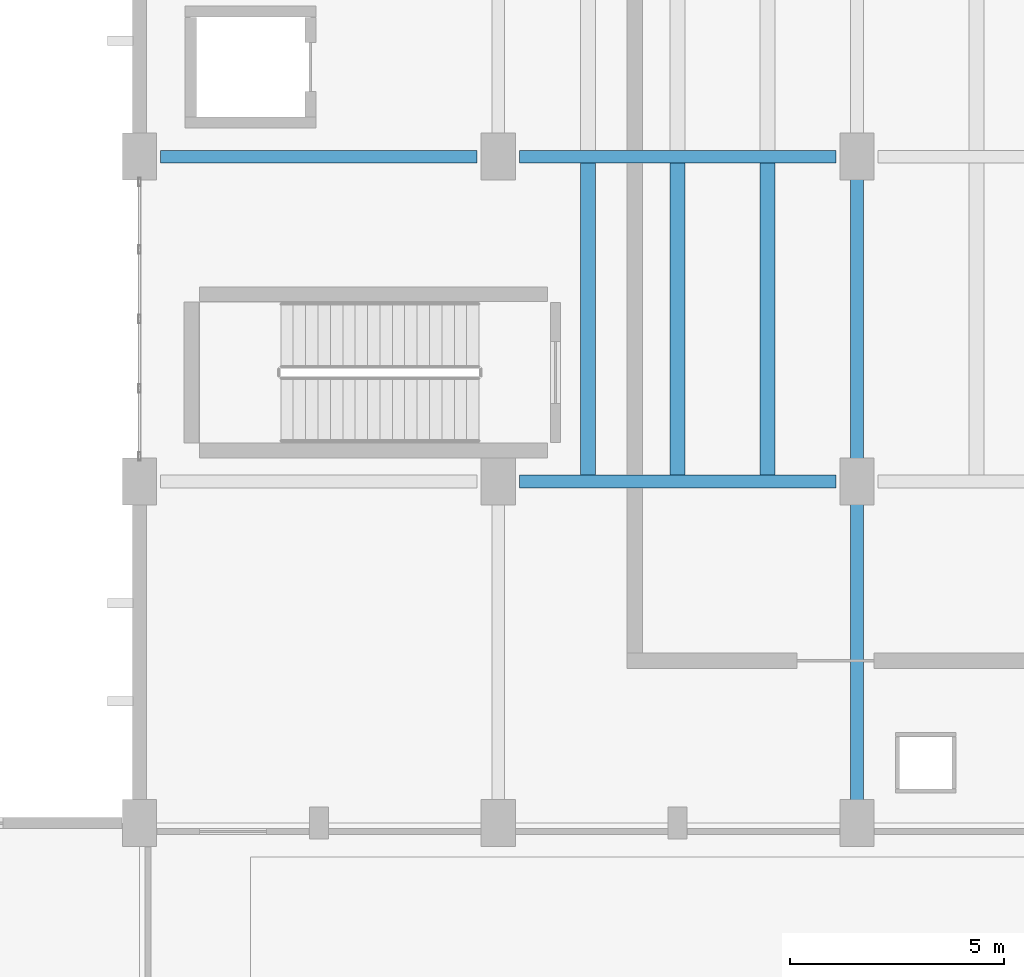
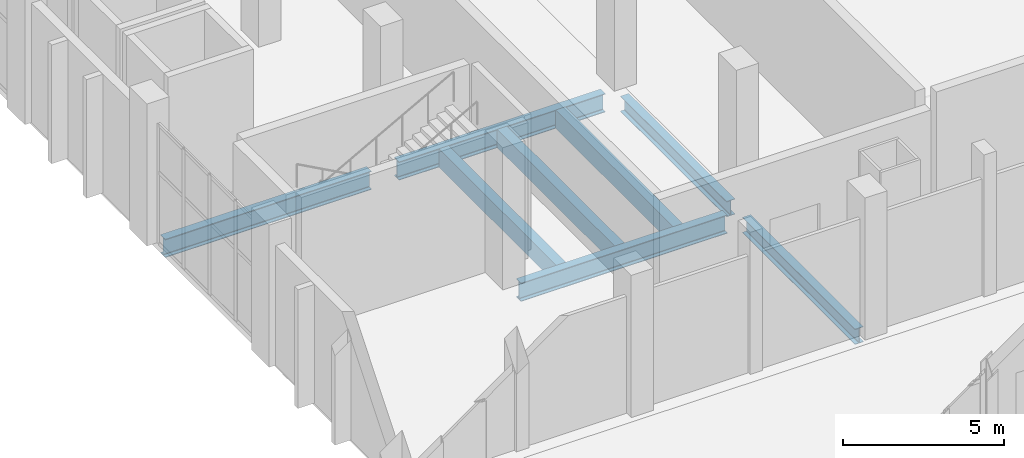
# One storey, part 42 of 95: 8 beams.
"""IFC4 building model written with IfcOpenShell, lengths in metres."""

from ifc_helpers import new_model, si_unit, direction, frame, origin, origin_2d, place, context, subcontext, project, spatial, rectangle, i_section, extrude, material, material_profile, profile_set, type_object, element, save


model = new_model("IFC4")

# Units and contexts
model_context = context("Model", 3, precision=1e-05, world=origin(), true_north=direction((0.0, 1.0)))
body_context = subcontext(model_context, "Body", "Model", "MODEL_VIEW")
ifc_project = project(units=[si_unit("LENGTHUNIT", "METRE"), si_unit("AREAUNIT", "SQUARE_METRE"), si_unit("VOLUMEUNIT", "CUBIC_METRE"), si_unit("PLANEANGLEUNIT", "RADIAN"), si_unit("MASSUNIT", "GRAM", prefix="KILO")], contexts=[model_context])

# Site, building, storey
site_placement = place(None, origin())
site = spatial("IfcSite", under=ifc_project, at=site_placement, CompositionType="ELEMENT")
building_placement = place(site_placement, origin())
building = spatial("IfcBuilding", under=site, at=building_placement, Name="Shengluoqiao Park Theatre", CompositionType="ELEMENT")
storey_placement = place(building_placement, origin())
storey = spatial("IfcBuildingStorey", under=building, at=storey_placement, Name="L00", CompositionType="ELEMENT", Elevation=0.0)

# Beams
ifc_material_1 = material(Name="Concrete C40", Category="concrete")
ifc_material_profile_1 = material_profile(ifc_material_1, rectangle(XDim=0.35009765625, YDim=0.699951171875, at=origin_2d()), Name="RC BEAM 350x700")
ifc_profile_set_1 = profile_set([ifc_material_profile_1], Name="Concrete C40")
beam_type_1 = type_object("IfcBeamType", Name="STR-BM-B-RC3570", PredefinedType="BEAM", material=ifc_profile_set_1)
for number, where, z_axis, x_axis, name in (
    (1, (54.89990234375, 84.14501953125, -0.64990234375), (0.0, 1.0, 0.0), (-1.0, 0.0, 0.0), "L00 Composite Joist 00094"),
    (2, (57.0, 84.14501953125, -0.64990234375), (0.0, 1.0, 0.0), (-1.0, 0.0, 0.0), "L00 Composite Joist 00095"),
    (3, (59.10009765625, 84.14501953125, -0.64990234375), (0.0, 1.0, 0.0), (-1.0, 0.0, 0.0), "L00 Composite Joist 00096"),
):
    element("IfcBeam", number, at=place(storey_placement, frame(where, z_axis=z_axis, x_axis=x_axis)), inside=storey, type_object=beam_type_1, Name=name, PredefinedType="JOIST", context=body_context, shape_type="SweptSolid", body=[
        extrude(rectangle(XDim=0.35009765625, YDim=0.699951171875, at=origin_2d()), origin(), (0.0, 0.0, 1.0), 7.31005859375),
    ])
ifc_material_2 = material(Name="Steel Q355", Category="steel")
ifc_material_profile_2 = material_profile(ifc_material_2, i_section(OverallWidth=0.300048828125, OverallDepth=0.587890625, WebThickness=0.011962890625, FlangeThickness=0.02001953125, FilletRadius=0.02392578125, at=origin_2d()), Name="HM 588x300x12x20")
ifc_profile_set_2 = profile_set([ifc_material_profile_2], Name="Steel Q355")
beam_type_2 = type_object("IfcBeamType", Name="STR-BM-G-HM588", PredefinedType="BEAM", material=ifc_profile_set_2)
beam_1_placement = place(storey_placement, frame((61.199951171875, 76.493896484375, -0.593994140625), z_axis=(0.0, 1.0, 0.0), x_axis=(-1.0, 0.0, 0.0)))
element("IfcBeam", 4, at=beam_1_placement, inside=storey, type_object=beam_type_2, Name="L00 Transverse Girder 00089", PredefinedType="BEAM", context=body_context, shape_type="SweptSolid", body=[
    extrude(i_section(OverallWidth=0.300048828125, OverallDepth=0.587890625, WebThickness=0.011962890625, FlangeThickness=0.02001953125, FilletRadius=0.02392578125, at=origin_2d()), origin(), (0.0, 0.0, 1.0), 7.01220703125),
])
beam_2_placement = place(storey_placement, frame((61.199951171875, 84.493896484375, -0.593994140625), z_axis=(0.0, 1.0, 0.0), x_axis=(-1.0, 0.0, 0.0)))
element("IfcBeam", 5, at=beam_2_placement, inside=storey, type_object=beam_type_2, Name="L00 Transverse Girder 00090", PredefinedType="BEAM", context=body_context, shape_type="SweptSolid", body=[
    extrude(i_section(OverallWidth=0.300048828125, OverallDepth=0.587890625, WebThickness=0.011962890625, FlangeThickness=0.02001953125, FilletRadius=0.02392578125, at=origin_2d()), origin(), (0.0, 0.0, 1.0), 6.612060546875),
])
ifc_material_3 = material(Name="Steel Q390", Category="steel")
ifc_material_profile_3 = material_profile(ifc_material_3, i_section(OverallWidth=0.300048828125, OverallDepth=0.699951171875, WebThickness=0.012939453125, FlangeThickness=0.02392578125, FilletRadius=0.02392578125, at=origin_2d()), Name="HN 700x300x13x24")
ifc_profile_set_3 = profile_set([ifc_material_profile_3], Name="Steel Q390")
beam_type_3 = type_object("IfcBeamType", Name="STR-BM-G-HN700", PredefinedType="BEAM", material=ifc_profile_set_3)
beam_3_placement = place(storey_placement, frame((53.2939453125, 84.0, -0.64990234375), z_axis=(1.0, 0.0, 0.0), x_axis=(0.0, 1.0, 0.0)))
element("IfcBeam", 6, at=beam_3_placement, inside=storey, type_object=beam_type_3, Name="L00 Primary Girder 00080", PredefinedType="BEAM", context=body_context, shape_type="SweptSolid", body=[
    extrude(i_section(OverallWidth=0.300048828125, OverallDepth=0.699951171875, WebThickness=0.012939453125, FlangeThickness=0.02392578125, FilletRadius=0.02392578125, at=origin_2d()), origin(), (0.0, 0.0, 1.0), 7.412109375),
])
beam_4_placement = place(storey_placement, frame((44.89404296875, 91.60009765625, -0.64990234375), z_axis=(1.0, 0.0, 0.0), x_axis=(0.0, 1.0, 0.0)))
element("IfcBeam", 7, at=beam_4_placement, inside=storey, type_object=beam_type_3, Name="L00 Primary Girder 00081", PredefinedType="BEAM", context=body_context, shape_type="SweptSolid", body=[
    extrude(i_section(OverallWidth=0.300048828125, OverallDepth=0.699951171875, WebThickness=0.012939453125, FlangeThickness=0.02392578125, FilletRadius=0.02392578125, at=origin_2d()), origin(), (0.0, 0.0, 1.0), 7.411865234375),
])
beam_5_placement = place(storey_placement, frame((53.2939453125, 91.60009765625, -0.64990234375), z_axis=(1.0, 0.0, 0.0), x_axis=(0.0, 1.0, 0.0)))
element("IfcBeam", 8, at=beam_5_placement, inside=storey, type_object=beam_type_3, Name="L00 Primary Girder 00082", PredefinedType="BEAM", context=body_context, shape_type="SweptSolid", body=[
    extrude(i_section(OverallWidth=0.300048828125, OverallDepth=0.699951171875, WebThickness=0.012939453125, FlangeThickness=0.02392578125, FilletRadius=0.02392578125, at=origin_2d()), origin(), (0.0, 0.0, 1.0), 7.412109375),
])

save(model, "model.ifc")
